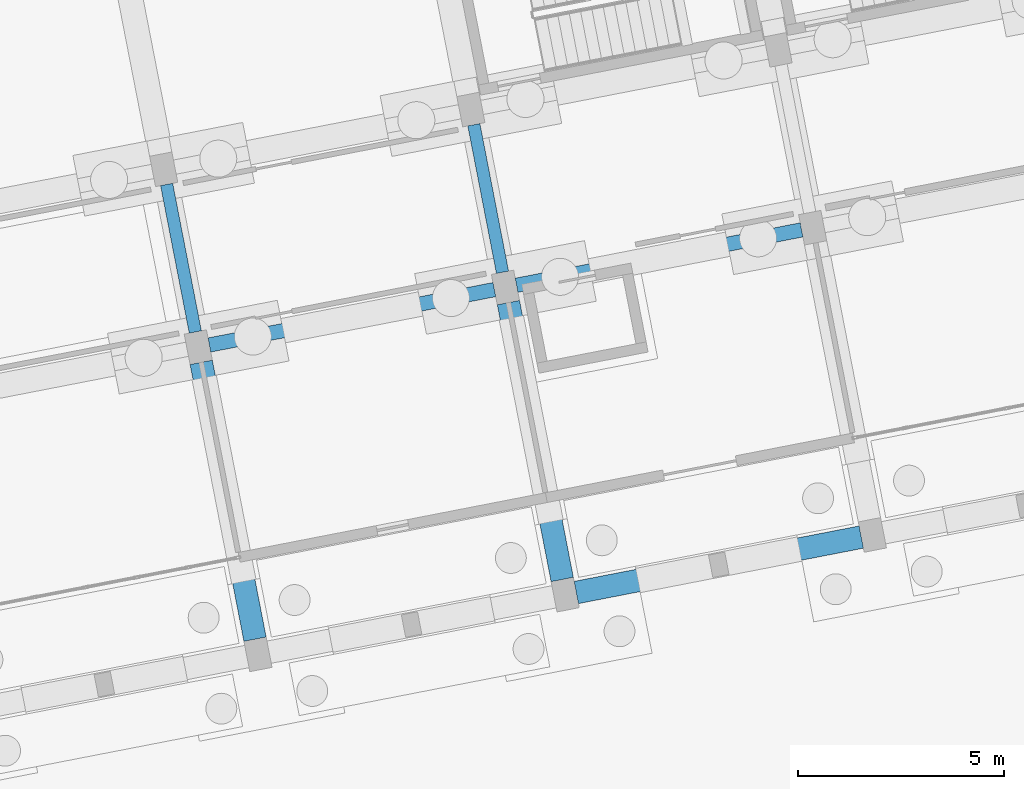
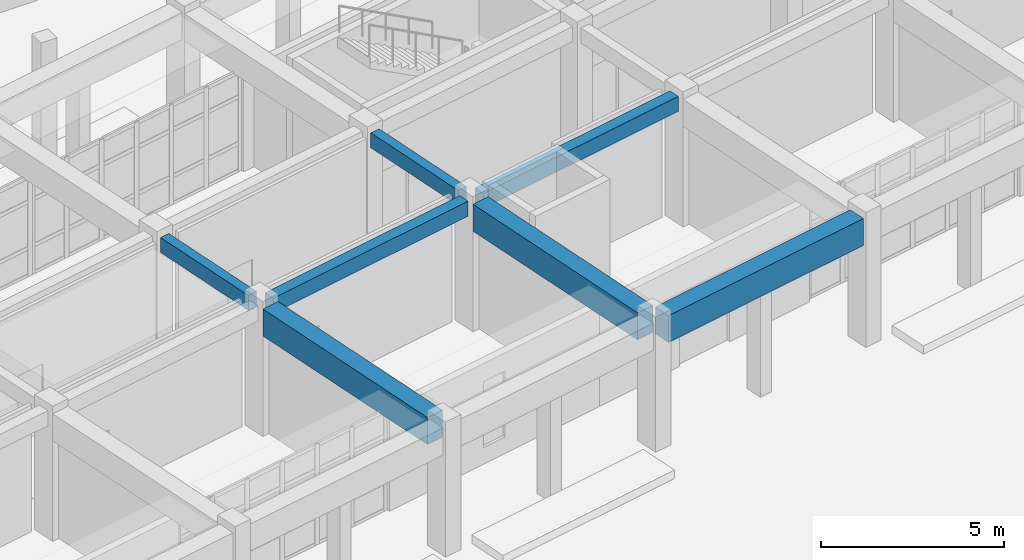
# One storey, part 90 of 154: 7 beams.
"""IFC4 building model written with IfcOpenShell, lengths in metres."""

from ifc_helpers import new_model, si_unit, direction, frame, origin, origin_2d, place, context, subcontext, project, spatial, rectangle, extrude, material, material_profile, profile_set, type_object, element, save


model = new_model("IFC4")

# Units and contexts
model_context = context("Model", 3, precision=1e-05, world=origin(), true_north=direction((0.0, 1.0)))
body_context = subcontext(model_context, "Body", "Model", "MODEL_VIEW")
ifc_project = project(units=[si_unit("LENGTHUNIT", "METRE"), si_unit("AREAUNIT", "SQUARE_METRE"), si_unit("VOLUMEUNIT", "CUBIC_METRE"), si_unit("PLANEANGLEUNIT", "RADIAN"), si_unit("MASSUNIT", "GRAM", prefix="KILO")], contexts=[model_context])

# Site, building, storey
site_placement = place(None, origin())
site = spatial("IfcSite", under=ifc_project, at=site_placement, CompositionType="ELEMENT")
building_placement = place(site_placement, origin())
building = spatial("IfcBuilding", under=site, at=building_placement, Name="Kestramere Prow Commons", CompositionType="ELEMENT")
storey_placement = place(building_placement, origin())
storey = spatial("IfcBuildingStorey", under=building, at=storey_placement, Name="L00", CompositionType="ELEMENT", Elevation=0.0)

# Beams
ifc_material = material(Name="Precast concrete C40/50", Category="concrete")
ifc_material_profile_1 = material_profile(ifc_material, rectangle(XDim=0.35009765625, YDim=0.5, at=origin_2d()), Name="PC-BM 350x500")
ifc_profile_set_1 = profile_set([ifc_material_profile_1], Name="Precast concrete C40/50")
beam_type_1 = type_object("IfcBeamType", Name="BM-D1 PC-BM 350x500", PredefinedType="BEAM", material=ifc_profile_set_1)
beam_1_placement = place(storey_placement, frame((132.140625, 44.4130859375, 4.0), z_axis=(0.981626562328, 0.19081219073, 0.0), x_axis=(-0.19081219073, 0.981626562328, 0.0)))
element("IfcBeam", 1, at=beam_1_placement, inside=storey, type_object=beam_type_1, Name="Block D L00 Longitudinal Beam 2-3", PredefinedType="BEAM", context=body_context, shape_type="SweptSolid", body=[
    extrude(rectangle(XDim=0.35009765625, YDim=0.5, at=origin_2d()), origin(), (0.0, 0.0, 1.0), 7.050048828125),
])
beam_2_placement = place(storey_placement, frame((139.600830078125, 45.86328125, 4.0), z_axis=(0.981627823124, 0.190805704498, 0.0), x_axis=(-0.190805704498, 0.981627823124, 0.0)))
element("IfcBeam", 2, at=beam_2_placement, inside=storey, type_object=beam_type_1, Name="Block D L00 Longitudinal Beam 2-4", PredefinedType="BEAM", context=body_context, shape_type="SweptSolid", body=[
    extrude(rectangle(XDim=0.35009765625, YDim=0.5, at=origin_2d()), origin(), (0.0, 0.0, 1.0), 7.05029296875),
])
ifc_material_profile_2 = material_profile(ifc_material, rectangle(XDim=0.300048828125, YDim=0.5, at=origin_2d()), Name="PC-BM 300x500")
ifc_profile_set_2 = profile_set([ifc_material_profile_2], Name="Precast concrete C40/50")
beam_type_2 = type_object("IfcBeamType", Name="BM-TIE-01 PC-BM 300x500", PredefinedType="BEAM", material=ifc_profile_set_2)
for number, where, z_axis, x_axis, name in (
    (3, (131.799072265625, 44.728759765625, 4.0), (-0.190826692535, 0.981623743303, 0.0), (-0.981623743303, -0.190826692535, 0.0), "Block D L00 Transverse Beam 3-2"),
    (4, (139.25927734375, 46.178955078125, 4.0), (-0.190762240628, 0.981636270495, 0.0), (-0.981636270495, -0.190762240628, 0.0), "Block D L00 Transverse Beam 4-2"),
):
    element("IfcBeam", number, at=place(storey_placement, frame(where, z_axis=z_axis, x_axis=x_axis)), inside=storey, type_object=beam_type_2, Name=name, PredefinedType="BEAM", context=body_context, shape_type="SweptSolid", body=[
        extrude(rectangle(XDim=0.300048828125, YDim=0.5, at=origin_2d()), origin(), (0.0, 0.0, 1.0), 3.650146484375),
    ])
ifc_material_profile_3 = material_profile(ifc_material, rectangle(XDim=0.550048828125, YDim=0.89990234375, at=origin_2d()), Name="PC-TG 550x900")
ifc_profile_set_3 = profile_set([ifc_material_profile_3], Name="Precast concrete C40/50")
beam_type_3 = type_object("IfcBeamType", Name="TG-01 PC-TG 550x900 (EX)", PredefinedType="BEAM", material=ifc_profile_set_3)
beam_3_placement = place(storey_placement, frame((141.051025390625, 38.40283203125, 3.800048828125), z_axis=(0.981626562328, 0.19081219073, 0.0), x_axis=(-0.19081219073, 0.981626562328, 0.0)))
element("IfcBeam", 5, at=beam_3_placement, inside=storey, type_object=beam_type_3, Name="Block D L00 Longitudinal Beam 1-4", PredefinedType="BEAM", context=body_context, shape_type="SweptSolid", body=[
    extrude(rectangle(XDim=0.550048828125, YDim=0.89990234375, at=origin_2d()), origin(), (0.0, 0.0, 1.0), 7.050048828125),
])
beam_4_placement = place(storey_placement, frame((133.249267578125, 37.268310546875, 3.800048828125), z_axis=(-0.190821960873, 0.981624663122, 0.0), x_axis=(-0.981624663122, -0.190821960873, 0.0)))
element("IfcBeam", 6, at=beam_4_placement, inside=storey, type_object=beam_type_3, Name="Block D L00 S Colonnade Transfer Girder 3", PredefinedType="BEAM", context=body_context, shape_type="SweptSolid", body=[
    extrude(rectangle(XDim=0.550048828125, YDim=0.89990234375, at=origin_2d()), origin(), (0.0, 0.0, 1.0), 6.85009765625),
])
beam_5_placement = place(storey_placement, frame((140.70947265625, 38.718505859375, 3.800048828125), z_axis=(-0.19078761731, 0.981631338681, 0.0), x_axis=(-0.981631338681, -0.19078761731, 0.0)))
element("IfcBeam", 7, at=beam_5_placement, inside=storey, type_object=beam_type_3, Name="Block D L00 S Colonnade Transfer Girder 4", PredefinedType="BEAM", context=body_context, shape_type="SweptSolid", body=[
    extrude(rectangle(XDim=0.550048828125, YDim=0.89990234375, at=origin_2d()), origin(), (0.0, 0.0, 1.0), 6.849853515625),
])

save(model, "model.ifc")
